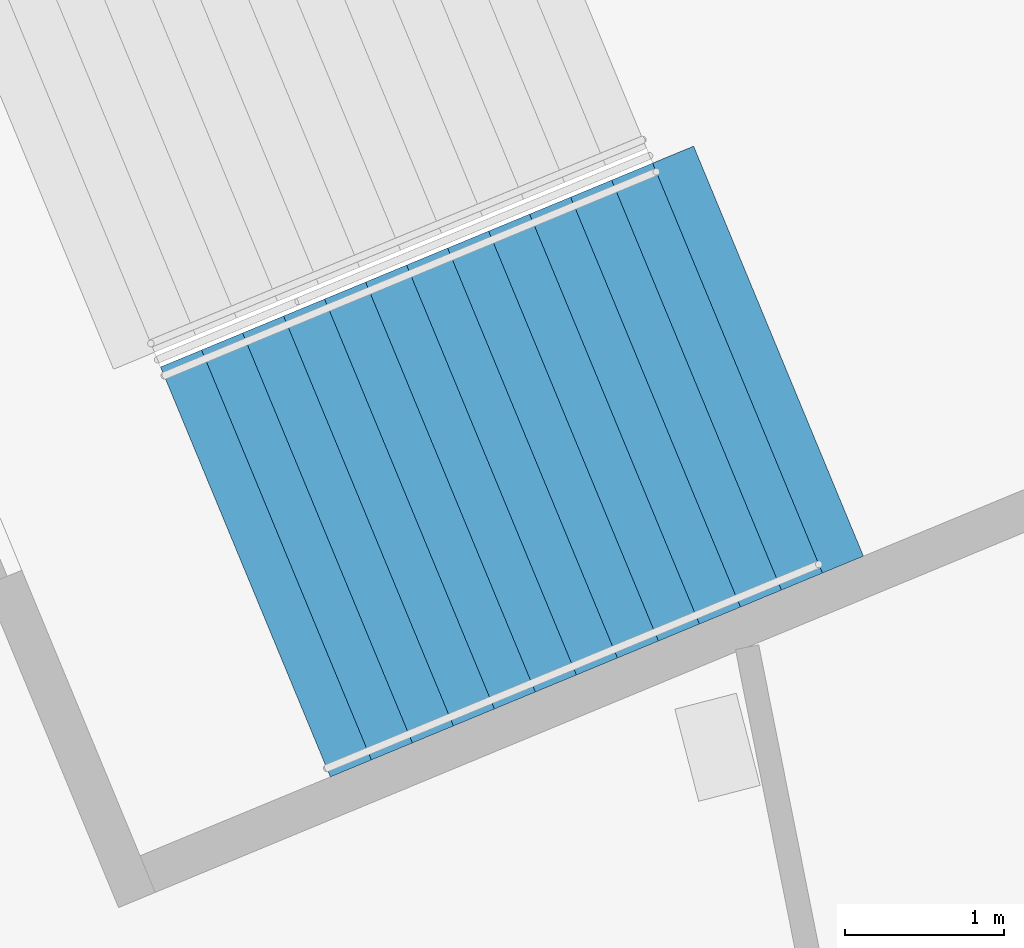
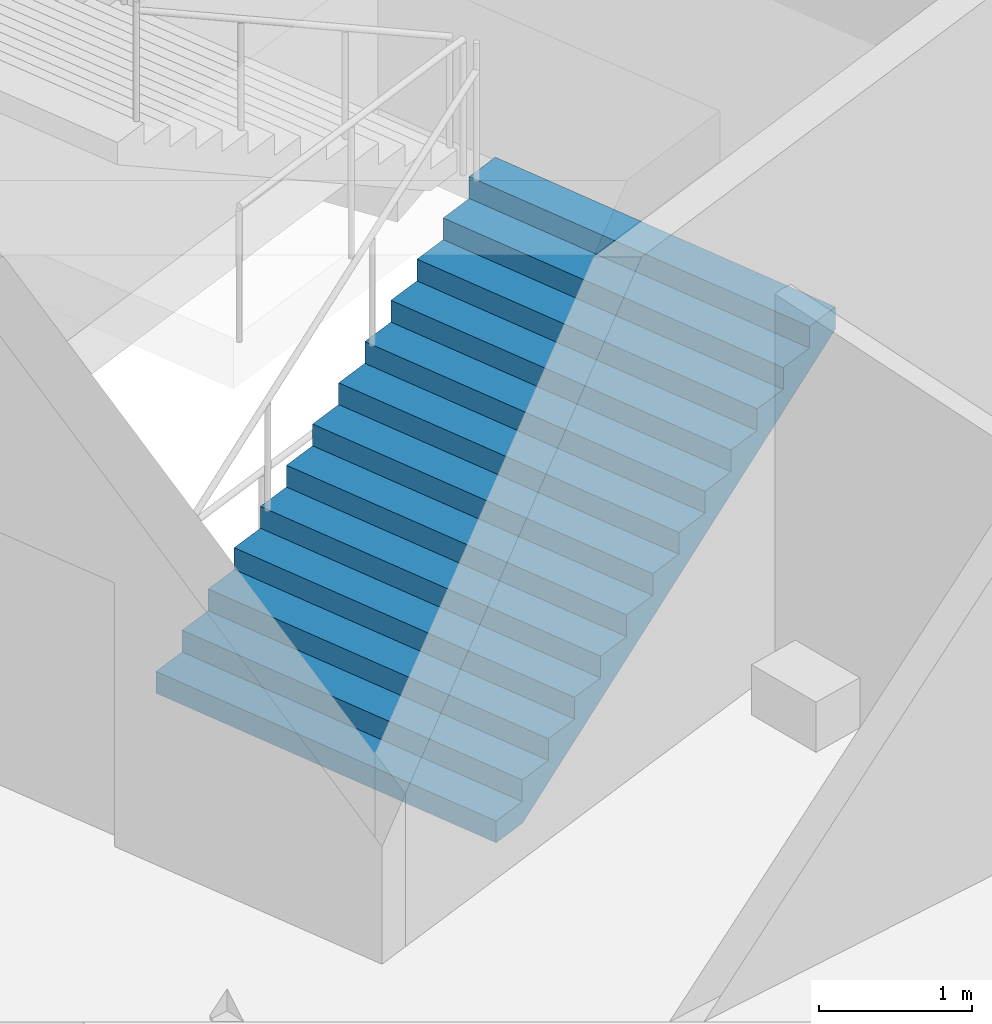
# One storey, part 159 of 177: 1 stair flight, 1 element without a shape of its own.
"""IFC4 building model written with IfcOpenShell, lengths in metres."""

from ifc_helpers import new_model, si_unit, direction, frame, origin, place, context, subcontext, project, spatial, faceted_brep, material, type_object, element, aggregate, save


model = new_model("IFC4")

# Units and contexts
model_context = context("Model", 3, precision=1e-05, world=origin(), true_north=direction((0.0, 1.0)))
body_context = subcontext(model_context, "Body", "Model", "MODEL_VIEW")
ifc_project = project(units=[si_unit("LENGTHUNIT", "METRE"), si_unit("AREAUNIT", "SQUARE_METRE"), si_unit("VOLUMEUNIT", "CUBIC_METRE"), si_unit("PLANEANGLEUNIT", "RADIAN"), si_unit("MASSUNIT", "GRAM", prefix="KILO")], contexts=[model_context])

# Site, building, storey
site_placement = place(None, origin())
site = spatial("IfcSite", under=ifc_project, at=site_placement, CompositionType="ELEMENT")
building_placement = place(site_placement, origin())
building = spatial("IfcBuilding", under=site, at=building_placement, Name="Ogive Plaza Stadium", CompositionType="ELEMENT")
storey_placement = place(building_placement, frame((0.0, 0.0, 18.0)))
storey = spatial("IfcBuildingStorey", under=building, at=storey_placement, Name="L04", CompositionType="ELEMENT", Elevation=18.0)

# Stair, stair flight
ifc_material_1 = material(Name="Concrete C40/50", Category="concrete")
stair_type = type_object("IfcStairType", Name="Exit stair", PredefinedType="STRAIGHT_RUN_STAIR", material=ifc_material_1)
stair_placement = place(storey_placement, origin())
stair = element("IfcStair", 1, at=stair_placement, inside=storey, type_object=stair_type, Name="Exit stair ST40A L04 to L05", PredefinedType="STRAIGHT_RUN_STAIR")
ifc_material_2 = material(Name="Concrete C40/50", Category="concrete")
stair_flight_type = type_object("IfcStairFlightType", Name="Exit stair flight", PredefinedType="STRAIGHT", material=ifc_material_2)
stair_flight_placement = place(storey_placement, frame((74.819580078125, 64.618408203125, 0.0), z_axis=(0.0, 0.0, 1.0), x_axis=(0.923879532511, 0.382683432365, 0.0)))
stair_flight = element("IfcStairFlight", 2, at=stair_flight_placement, type_object=stair_flight_type, Name="ST40A flight 1", NumberOfRisers=13, NumberOfTreads=12, PredefinedType="STRAIGHT", RiserHeight=0.173076923, TreadLength=0.28, context=body_context, shape_type="Brep", body=[
    faceted_brep([(0.28515625, -1.39990234375, 0.0), (3.639892578125, -1.39990234375, 2.07373046875), (3.639892578125, -1.39990234375, 2.25), (3.360107421875, -1.39990234375, 2.25), (3.360107421875, -1.39990234375, 2.076904296875), (3.080078125, -1.39990234375, 2.076904296875), (3.080078125, -1.39990234375, 1.90380859375), (2.800048828125, -1.39990234375, 1.90380859375), (2.800048828125, -1.39990234375, 1.730712890625), (2.52001953125, -1.39990234375, 1.730712890625), (2.52001953125, -1.39990234375, 1.5576171875), (2.239990234375, -1.39990234375, 1.5576171875), (2.239990234375, -1.39990234375, 1.384521484375), (1.9599609375, -1.39990234375, 1.384521484375), (1.9599609375, -1.39990234375, 1.21142578125), (1.679931640625, -1.39990234375, 1.21142578125), (1.679931640625, -1.39990234375, 1.03857421875), (1.39990234375, -1.39990234375, 1.03857421875), (1.39990234375, -1.39990234375, 0.865478515625), (1.1201171875, -1.39990234375, 0.865478515625), (1.1201171875, -1.39990234375, 0.6923828125), (0.840087890625, -1.39990234375, 0.6923828125), (0.840087890625, -1.39990234375, 0.519287109375), (0.56005859375, -1.39990234375, 0.519287109375), (0.56005859375, -1.39990234375, 0.34619140625), (0.280029296875, -1.39990234375, 0.34619140625), (0.280029296875, -1.39990234375, 0.173095703125), (0.0, -1.39990234375, 0.173095703125), (0.0, -1.39990234375, 0.0), (0.0, 1.39990234375, 0.0), (0.0, 1.39990234375, 0.173095703125), (0.280029296875, 1.39990234375, 0.173095703125), (0.280029296875, 1.39990234375, 0.34619140625), (0.56005859375, 1.39990234375, 0.34619140625), (0.56005859375, 1.39990234375, 0.519287109375), (0.840087890625, 1.39990234375, 0.519287109375), (0.840087890625, 1.39990234375, 0.6923828125), (1.1201171875, 1.39990234375, 0.6923828125), (1.1201171875, 1.39990234375, 0.865478515625), (1.39990234375, 1.39990234375, 0.865478515625), (1.39990234375, 1.39990234375, 1.03857421875), (1.679931640625, 1.39990234375, 1.03857421875), (1.679931640625, 1.39990234375, 1.21142578125), (1.9599609375, 1.39990234375, 1.21142578125), (1.9599609375, 1.39990234375, 1.384521484375), (2.239990234375, 1.39990234375, 1.384521484375), (2.239990234375, 1.39990234375, 1.5576171875), (2.52001953125, 1.39990234375, 1.5576171875), (2.52001953125, 1.39990234375, 1.730712890625), (2.800048828125, 1.39990234375, 1.730712890625), (2.800048828125, 1.39990234375, 1.90380859375), (3.080078125, 1.39990234375, 1.90380859375), (3.080078125, 1.39990234375, 2.076904296875), (3.360107421875, 1.39990234375, 2.076904296875), (3.360107421875, 1.39990234375, 2.25), (3.639892578125, 1.39990234375, 2.25), (3.639892578125, 1.39990234375, 2.07373046875), (0.28515625, 1.39990234375, 0.0), (0.28515625, -1.0888671875, 0.0), (3.639892578125, -1.0888671875, 2.07373046875), (0.28515625, -0.77783203125, 0.0), (3.639892578125, -0.77783203125, 2.07373046875), (0.28515625, -0.466796875, 0.0), (3.639892578125, -0.466796875, 2.07373046875), (0.28515625, -0.155517578125, 0.0), (3.639892578125, -0.155517578125, 2.07373046875), (0.28515625, 0.155517578125, 0.0), (3.639892578125, 0.155517578125, 2.07373046875), (0.28515625, 0.466796875, 0.0), (3.639892578125, 0.466796875, 2.07373046875), (0.28515625, 0.77783203125, 0.0), (3.639892578125, 0.77783203125, 2.07373046875), (0.28515625, 1.0888671875, 0.0), (3.639892578125, 1.0888671875, 2.07373046875), (3.639892578125, -1.0888671875, 2.25), (3.639892578125, -0.77783203125, 2.25), (3.639892578125, -0.466796875, 2.25), (3.639892578125, -0.155517578125, 2.25), (3.639892578125, 0.155517578125, 2.25), (3.639892578125, 0.466796875, 2.25), (3.639892578125, 0.77783203125, 2.25), (3.639892578125, 1.0888671875, 2.25), (3.360107421875, -1.0888671875, 2.25), (3.360107421875, -0.77783203125, 2.25), (3.360107421875, -0.466796875, 2.25), (3.360107421875, -0.155517578125, 2.25), (3.360107421875, 0.155517578125, 2.25), (3.360107421875, 0.466796875, 2.25), (3.360107421875, 0.77783203125, 2.25), (3.360107421875, 1.0888671875, 2.25), (3.360107421875, -1.0888671875, 2.076904296875), (3.360107421875, -0.77783203125, 2.076904296875), (3.360107421875, -0.466796875, 2.076904296875), (3.360107421875, -0.155517578125, 2.076904296875), (3.360107421875, 0.155517578125, 2.076904296875), (3.360107421875, 0.466796875, 2.076904296875), (3.360107421875, 0.77783203125, 2.076904296875), (3.360107421875, 1.0888671875, 2.076904296875), (3.080078125, -1.0888671875, 2.076904296875), (3.080078125, -0.77783203125, 2.076904296875), (3.080078125, -0.466796875, 2.076904296875), (3.080078125, -0.155517578125, 2.076904296875), (3.080078125, 0.155517578125, 2.076904296875), (3.080078125, 0.466796875, 2.076904296875), (3.080078125, 0.77783203125, 2.076904296875), (3.080078125, 1.0888671875, 2.076904296875), (3.080078125, -1.0888671875, 1.90380859375), (3.080078125, -0.77783203125, 1.90380859375), (3.080078125, -0.466796875, 1.90380859375), (3.080078125, -0.155517578125, 1.90380859375), (3.080078125, 0.155517578125, 1.90380859375), (3.080078125, 0.466796875, 1.90380859375), (3.080078125, 0.77783203125, 1.90380859375), (3.080078125, 1.0888671875, 1.90380859375), (2.800048828125, -1.0888671875, 1.90380859375), (2.800048828125, -0.77783203125, 1.90380859375), (2.800048828125, -0.466796875, 1.90380859375), (2.800048828125, -0.155517578125, 1.90380859375), (2.800048828125, 0.155517578125, 1.90380859375), (2.800048828125, 0.466796875, 1.90380859375), (2.800048828125, 0.77783203125, 1.90380859375), (2.800048828125, 1.0888671875, 1.90380859375), (2.800048828125, -1.0888671875, 1.730712890625), (2.800048828125, -0.77783203125, 1.730712890625), (2.800048828125, -0.466796875, 1.730712890625), (2.800048828125, -0.155517578125, 1.730712890625), (2.800048828125, 0.155517578125, 1.730712890625), (2.800048828125, 0.466796875, 1.730712890625), (2.800048828125, 0.77783203125, 1.730712890625), (2.800048828125, 1.0888671875, 1.730712890625), (2.52001953125, -1.0888671875, 1.730712890625), (2.52001953125, -0.77783203125, 1.730712890625), (2.52001953125, -0.466796875, 1.730712890625), (2.52001953125, -0.155517578125, 1.730712890625), (2.52001953125, 0.155517578125, 1.730712890625), (2.52001953125, 0.466796875, 1.730712890625), (2.52001953125, 0.77783203125, 1.730712890625), (2.52001953125, 1.0888671875, 1.730712890625), (2.52001953125, -1.0888671875, 1.5576171875), (2.52001953125, -0.77783203125, 1.5576171875), (2.52001953125, -0.466796875, 1.5576171875), (2.52001953125, -0.155517578125, 1.5576171875), (2.52001953125, 0.155517578125, 1.5576171875), (2.52001953125, 0.466796875, 1.5576171875), (2.52001953125, 0.77783203125, 1.5576171875), (2.52001953125, 1.0888671875, 1.5576171875), (2.239990234375, -1.0888671875, 1.5576171875), (2.239990234375, -0.77783203125, 1.5576171875), (2.239990234375, -0.466796875, 1.5576171875), (2.239990234375, -0.155517578125, 1.5576171875), (2.239990234375, 0.155517578125, 1.5576171875), (2.239990234375, 0.466796875, 1.5576171875), (2.239990234375, 0.77783203125, 1.5576171875), (2.239990234375, 1.0888671875, 1.5576171875), (2.239990234375, -1.0888671875, 1.384521484375), (2.239990234375, -0.77783203125, 1.384521484375), (2.239990234375, -0.466796875, 1.384521484375), (2.239990234375, -0.155517578125, 1.384521484375), (2.239990234375, 0.155517578125, 1.384521484375), (2.239990234375, 0.466796875, 1.384521484375), (2.239990234375, 0.77783203125, 1.384521484375), (2.239990234375, 1.0888671875, 1.384521484375), (1.9599609375, -1.0888671875, 1.384521484375), (1.9599609375, -0.77783203125, 1.384521484375), (1.9599609375, -0.466796875, 1.384521484375), (1.9599609375, -0.155517578125, 1.384521484375), (1.9599609375, 0.155517578125, 1.384521484375), (1.9599609375, 0.466796875, 1.384521484375), (1.9599609375, 0.77783203125, 1.384521484375), (1.9599609375, 1.0888671875, 1.384521484375), (1.9599609375, -1.0888671875, 1.21142578125), (1.9599609375, -0.77783203125, 1.21142578125), (1.9599609375, -0.466796875, 1.21142578125), (1.9599609375, -0.155517578125, 1.21142578125), (1.9599609375, 0.155517578125, 1.21142578125), (1.9599609375, 0.466796875, 1.21142578125), (1.9599609375, 0.77783203125, 1.21142578125), (1.9599609375, 1.0888671875, 1.21142578125), (1.679931640625, -1.0888671875, 1.21142578125), (1.679931640625, -0.77783203125, 1.21142578125), (1.679931640625, -0.466796875, 1.21142578125), (1.679931640625, -0.155517578125, 1.21142578125), (1.679931640625, 0.155517578125, 1.21142578125), (1.679931640625, 0.466796875, 1.21142578125), (1.679931640625, 0.77783203125, 1.21142578125), (1.679931640625, 1.0888671875, 1.21142578125), (1.679931640625, -1.0888671875, 1.03857421875), (1.679931640625, -0.77783203125, 1.03857421875), (1.679931640625, -0.466796875, 1.03857421875), (1.679931640625, -0.155517578125, 1.03857421875), (1.679931640625, 0.155517578125, 1.03857421875), (1.679931640625, 0.466796875, 1.03857421875), (1.679931640625, 0.77783203125, 1.03857421875), (1.679931640625, 1.0888671875, 1.03857421875), (1.39990234375, -1.0888671875, 1.03857421875), (1.39990234375, -0.77783203125, 1.03857421875), (1.39990234375, -0.466796875, 1.03857421875), (1.39990234375, -0.155517578125, 1.03857421875), (1.39990234375, 0.155517578125, 1.03857421875), (1.39990234375, 0.466796875, 1.03857421875), (1.39990234375, 0.77783203125, 1.03857421875), (1.39990234375, 1.0888671875, 1.03857421875), (1.39990234375, -1.0888671875, 0.865478515625), (1.39990234375, -0.77783203125, 0.865478515625), (1.39990234375, -0.466796875, 0.865478515625), (1.39990234375, -0.155517578125, 0.865478515625), (1.39990234375, 0.155517578125, 0.865478515625), (1.39990234375, 0.466796875, 0.865478515625), (1.39990234375, 0.77783203125, 0.865478515625), (1.39990234375, 1.0888671875, 0.865478515625), (1.1201171875, -1.0888671875, 0.865478515625), (1.1201171875, -0.77783203125, 0.865478515625), (1.1201171875, -0.466796875, 0.865478515625), (1.1201171875, -0.155517578125, 0.865478515625), (1.1201171875, 0.155517578125, 0.865478515625), (1.1201171875, 0.466796875, 0.865478515625), (1.1201171875, 0.77783203125, 0.865478515625), (1.1201171875, 1.0888671875, 0.865478515625), (1.1201171875, -1.0888671875, 0.6923828125), (1.1201171875, -0.77783203125, 0.6923828125), (1.1201171875, -0.466796875, 0.6923828125), (1.1201171875, -0.155517578125, 0.6923828125), (1.1201171875, 0.155517578125, 0.6923828125), (1.1201171875, 0.466796875, 0.6923828125), (1.1201171875, 0.77783203125, 0.6923828125), (1.1201171875, 1.0888671875, 0.6923828125), (0.840087890625, -1.0888671875, 0.6923828125), (0.840087890625, -0.77783203125, 0.6923828125), (0.840087890625, -0.466796875, 0.6923828125), (0.840087890625, -0.155517578125, 0.6923828125), (0.840087890625, 0.155517578125, 0.6923828125), (0.840087890625, 0.466796875, 0.6923828125), (0.840087890625, 0.77783203125, 0.6923828125), (0.840087890625, 1.0888671875, 0.6923828125), (0.840087890625, -1.0888671875, 0.519287109375), (0.840087890625, -0.77783203125, 0.519287109375), (0.840087890625, -0.466796875, 0.519287109375), (0.840087890625, -0.155517578125, 0.519287109375), (0.840087890625, 0.155517578125, 0.519287109375), (0.840087890625, 0.466796875, 0.519287109375), (0.840087890625, 0.77783203125, 0.519287109375), (0.840087890625, 1.0888671875, 0.519287109375), (0.56005859375, -1.0888671875, 0.519287109375), (0.56005859375, -0.77783203125, 0.519287109375), (0.56005859375, -0.466796875, 0.519287109375), (0.56005859375, -0.155517578125, 0.519287109375), (0.56005859375, 0.155517578125, 0.519287109375), (0.56005859375, 0.466796875, 0.519287109375), (0.56005859375, 0.77783203125, 0.519287109375), (0.56005859375, 1.0888671875, 0.519287109375), (0.56005859375, -1.0888671875, 0.34619140625), (0.56005859375, -0.77783203125, 0.34619140625), (0.56005859375, -0.466796875, 0.34619140625), (0.56005859375, -0.155517578125, 0.34619140625), (0.56005859375, 0.155517578125, 0.34619140625), (0.56005859375, 0.466796875, 0.34619140625), (0.56005859375, 0.77783203125, 0.34619140625), (0.56005859375, 1.0888671875, 0.34619140625), (0.280029296875, -1.0888671875, 0.34619140625), (0.280029296875, -0.77783203125, 0.34619140625), (0.280029296875, -0.466796875, 0.34619140625), (0.280029296875, -0.155517578125, 0.34619140625), (0.280029296875, 0.155517578125, 0.34619140625), (0.280029296875, 0.466796875, 0.34619140625), (0.280029296875, 0.77783203125, 0.34619140625), (0.280029296875, 1.0888671875, 0.34619140625), (0.280029296875, -1.0888671875, 0.173095703125), (0.280029296875, -0.77783203125, 0.173095703125), (0.280029296875, -0.466796875, 0.173095703125), (0.280029296875, -0.155517578125, 0.173095703125), (0.280029296875, 0.155517578125, 0.173095703125), (0.280029296875, 0.466796875, 0.173095703125), (0.280029296875, 0.77783203125, 0.173095703125), (0.280029296875, 1.0888671875, 0.173095703125), (0.0, -1.0888671875, 0.173095703125), (0.0, -0.77783203125, 0.173095703125), (0.0, -0.466796875, 0.173095703125), (0.0, -0.155517578125, 0.173095703125), (0.0, 0.155517578125, 0.173095703125), (0.0, 0.466796875, 0.173095703125), (0.0, 0.77783203125, 0.173095703125), (0.0, 1.0888671875, 0.173095703125), (0.0, -1.0888671875, 0.0), (0.0, -0.77783203125, 0.0), (0.0, -0.466796875, 0.0), (0.0, -0.155517578125, 0.0), (0.0, 0.155517578125, 0.0), (0.0, 0.466796875, 0.0), (0.0, 0.77783203125, 0.0), (0.0, 1.0888671875, 0.0)], [[[0, 1, 2, 3, 4, 5, 6, 7, 8, 9, 10, 11, 12, 13, 14, 15, 16, 17, 18, 19, 20, 21, 22, 23, 24, 25, 26, 27, 28]], [[29, 30, 31, 32, 33, 34, 35, 36, 37, 38, 39, 40, 41, 42, 43, 44, 45, 46, 47, 48, 49, 50, 51, 52, 53, 54, 55, 56, 57]], [[0, 58, 59, 1]], [[58, 60, 61, 59]], [[60, 62, 63, 61]], [[62, 64, 65, 63]], [[64, 66, 67, 65]], [[66, 68, 69, 67]], [[68, 70, 71, 69]], [[70, 72, 73, 71]], [[72, 57, 56, 73]], [[1, 59, 74, 2]], [[59, 61, 75, 74]], [[61, 63, 76, 75]], [[63, 65, 77, 76]], [[65, 67, 78, 77]], [[67, 69, 79, 78]], [[69, 71, 80, 79]], [[71, 73, 81, 80]], [[73, 56, 55, 81]], [[2, 74, 82, 3]], [[74, 75, 83, 82]], [[75, 76, 84, 83]], [[76, 77, 85, 84]], [[77, 78, 86, 85]], [[78, 79, 87, 86]], [[79, 80, 88, 87]], [[80, 81, 89, 88]], [[81, 55, 54, 89]], [[3, 82, 90, 4]], [[82, 83, 91, 90]], [[83, 84, 92, 91]], [[84, 85, 93, 92]], [[85, 86, 94, 93]], [[86, 87, 95, 94]], [[87, 88, 96, 95]], [[88, 89, 97, 96]], [[89, 54, 53, 97]], [[4, 90, 98, 5]], [[90, 91, 99, 98]], [[91, 92, 100, 99]], [[92, 93, 101, 100]], [[93, 94, 102, 101]], [[94, 95, 103, 102]], [[95, 96, 104, 103]], [[96, 97, 105, 104]], [[97, 53, 52, 105]], [[5, 98, 106, 6]], [[98, 99, 107, 106]], [[99, 100, 108, 107]], [[100, 101, 109, 108]], [[101, 102, 110, 109]], [[102, 103, 111, 110]], [[103, 104, 112, 111]], [[104, 105, 113, 112]], [[105, 52, 51, 113]], [[6, 106, 114, 7]], [[106, 107, 115, 114]], [[107, 108, 116, 115]], [[108, 109, 117, 116]], [[109, 110, 118, 117]], [[110, 111, 119, 118]], [[111, 112, 120, 119]], [[112, 113, 121, 120]], [[113, 51, 50, 121]], [[7, 114, 122, 8]], [[114, 115, 123, 122]], [[115, 116, 124, 123]], [[116, 117, 125, 124]], [[117, 118, 126, 125]], [[118, 119, 127, 126]], [[119, 120, 128, 127]], [[120, 121, 129, 128]], [[121, 50, 49, 129]], [[8, 122, 130, 9]], [[122, 123, 131, 130]], [[123, 124, 132, 131]], [[124, 125, 133, 132]], [[125, 126, 134, 133]], [[126, 127, 135, 134]], [[127, 128, 136, 135]], [[128, 129, 137, 136]], [[129, 49, 48, 137]], [[9, 130, 138, 10]], [[130, 131, 139, 138]], [[131, 132, 140, 139]], [[132, 133, 141, 140]], [[133, 134, 142, 141]], [[134, 135, 143, 142]], [[135, 136, 144, 143]], [[136, 137, 145, 144]], [[137, 48, 47, 145]], [[10, 138, 146, 11]], [[138, 139, 147, 146]], [[139, 140, 148, 147]], [[140, 141, 149, 148]], [[141, 142, 150, 149]], [[142, 143, 151, 150]], [[143, 144, 152, 151]], [[144, 145, 153, 152]], [[145, 47, 46, 153]], [[11, 146, 154, 12]], [[146, 147, 155, 154]], [[147, 148, 156, 155]], [[148, 149, 157, 156]], [[149, 150, 158, 157]], [[150, 151, 159, 158]], [[151, 152, 160, 159]], [[152, 153, 161, 160]], [[153, 46, 45, 161]], [[12, 154, 162, 13]], [[154, 155, 163, 162]], [[155, 156, 164, 163]], [[156, 157, 165, 164]], [[157, 158, 166, 165]], [[158, 159, 167, 166]], [[159, 160, 168, 167]], [[160, 161, 169, 168]], [[161, 45, 44, 169]], [[13, 162, 170, 14]], [[162, 163, 171, 170]], [[163, 164, 172, 171]], [[164, 165, 173, 172]], [[165, 166, 174, 173]], [[166, 167, 175, 174]], [[167, 168, 176, 175]], [[168, 169, 177, 176]], [[169, 44, 43, 177]], [[14, 170, 178, 15]], [[170, 171, 179, 178]], [[171, 172, 180, 179]], [[172, 173, 181, 180]], [[173, 174, 182, 181]], [[174, 175, 183, 182]], [[175, 176, 184, 183]], [[176, 177, 185, 184]], [[177, 43, 42, 185]], [[15, 178, 186, 16]], [[178, 179, 187, 186]], [[179, 180, 188, 187]], [[180, 181, 189, 188]], [[181, 182, 190, 189]], [[182, 183, 191, 190]], [[183, 184, 192, 191]], [[184, 185, 193, 192]], [[185, 42, 41, 193]], [[16, 186, 194, 17]], [[186, 187, 195, 194]], [[187, 188, 196, 195]], [[188, 189, 197, 196]], [[189, 190, 198, 197]], [[190, 191, 199, 198]], [[191, 192, 200, 199]], [[192, 193, 201, 200]], [[193, 41, 40, 201]], [[17, 194, 202, 18]], [[194, 195, 203, 202]], [[195, 196, 204, 203]], [[196, 197, 205, 204]], [[197, 198, 206, 205]], [[198, 199, 207, 206]], [[199, 200, 208, 207]], [[200, 201, 209, 208]], [[201, 40, 39, 209]], [[18, 202, 210, 19]], [[202, 203, 211, 210]], [[203, 204, 212, 211]], [[204, 205, 213, 212]], [[205, 206, 214, 213]], [[206, 207, 215, 214]], [[207, 208, 216, 215]], [[208, 209, 217, 216]], [[209, 39, 38, 217]], [[19, 210, 218, 20]], [[210, 211, 219, 218]], [[211, 212, 220, 219]], [[212, 213, 221, 220]], [[213, 214, 222, 221]], [[214, 215, 223, 222]], [[215, 216, 224, 223]], [[216, 217, 225, 224]], [[217, 38, 37, 225]], [[20, 218, 226, 21]], [[218, 219, 227, 226]], [[219, 220, 228, 227]], [[220, 221, 229, 228]], [[221, 222, 230, 229]], [[222, 223, 231, 230]], [[223, 224, 232, 231]], [[224, 225, 233, 232]], [[225, 37, 36, 233]], [[21, 226, 234, 22]], [[226, 227, 235, 234]], [[227, 228, 236, 235]], [[228, 229, 237, 236]], [[229, 230, 238, 237]], [[230, 231, 239, 238]], [[231, 232, 240, 239]], [[232, 233, 241, 240]], [[233, 36, 35, 241]], [[22, 234, 242, 23]], [[234, 235, 243, 242]], [[235, 236, 244, 243]], [[236, 237, 245, 244]], [[237, 238, 246, 245]], [[238, 239, 247, 246]], [[239, 240, 248, 247]], [[240, 241, 249, 248]], [[241, 35, 34, 249]], [[23, 242, 250, 24]], [[242, 243, 251, 250]], [[243, 244, 252, 251]], [[244, 245, 253, 252]], [[245, 246, 254, 253]], [[246, 247, 255, 254]], [[247, 248, 256, 255]], [[248, 249, 257, 256]], [[249, 34, 33, 257]], [[24, 250, 258, 25]], [[250, 251, 259, 258]], [[251, 252, 260, 259]], [[252, 253, 261, 260]], [[253, 254, 262, 261]], [[254, 255, 263, 262]], [[255, 256, 264, 263]], [[256, 257, 265, 264]], [[257, 33, 32, 265]], [[25, 258, 266, 26]], [[258, 259, 267, 266]], [[259, 260, 268, 267]], [[260, 261, 269, 268]], [[261, 262, 270, 269]], [[262, 263, 271, 270]], [[263, 264, 272, 271]], [[264, 265, 273, 272]], [[265, 32, 31, 273]], [[26, 266, 274, 27]], [[266, 267, 275, 274]], [[267, 268, 276, 275]], [[268, 269, 277, 276]], [[269, 270, 278, 277]], [[270, 271, 279, 278]], [[271, 272, 280, 279]], [[272, 273, 281, 280]], [[273, 31, 30, 281]], [[27, 274, 282, 28]], [[274, 275, 283, 282]], [[275, 276, 284, 283]], [[276, 277, 285, 284]], [[277, 278, 286, 285]], [[278, 279, 287, 286]], [[279, 280, 288, 287]], [[280, 281, 289, 288]], [[281, 30, 29, 289]], [[28, 282, 58, 0]], [[282, 283, 60, 58]], [[283, 284, 62, 60]], [[284, 285, 64, 62]], [[285, 286, 66, 64]], [[286, 287, 68, 66]], [[287, 288, 70, 68]], [[288, 289, 72, 70]], [[289, 29, 57, 72]]]),
])
aggregate(stair, [stair_flight])

save(model, "model.ifc")
